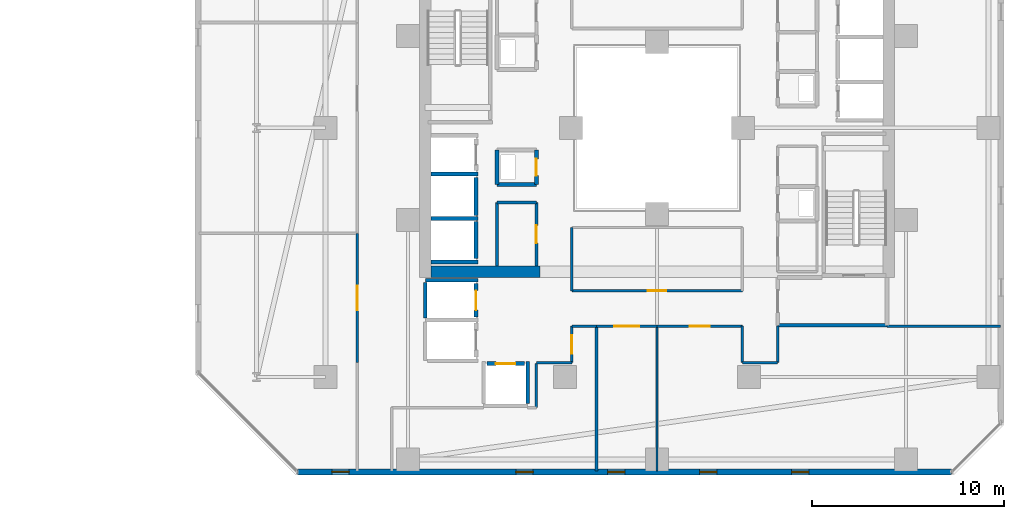
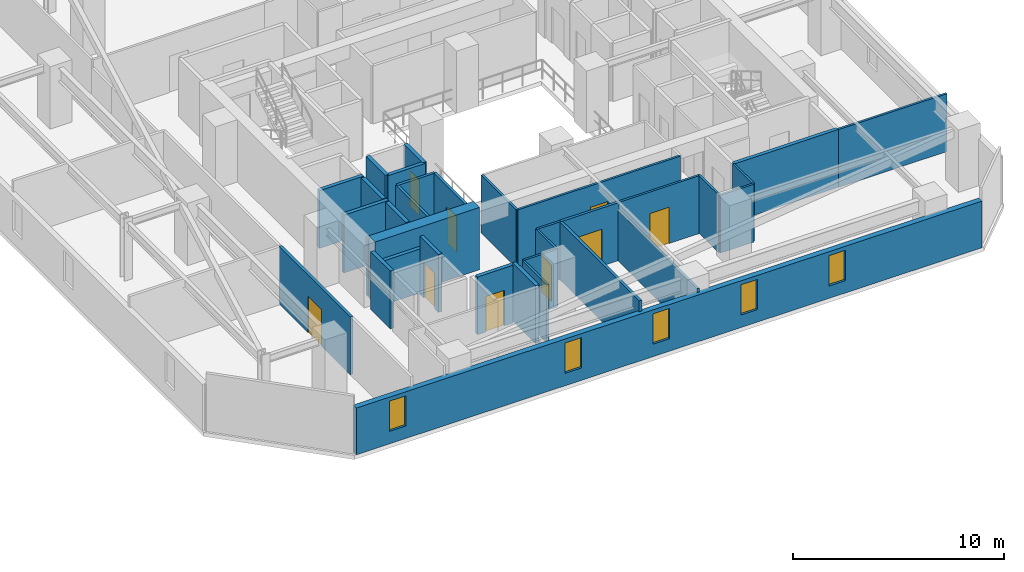
# One storey, part 21 of 31: 34 walls, 9 doors, 5 windows, 14 openings.
"""IFC4 building model written with IfcOpenShell, lengths in metres."""

from ifc_helpers import new_model, si_unit, direction, frame, frame_2d, origin, place, context, subcontext, project, spatial, rectangle, extrude, material, layer, layer_set, type_object, element, fill, save


model = new_model("IFC4")

# Units and contexts
model_context = context("Model", 3, precision=1e-05, world=origin(), true_north=direction((0.0, 1.0)))
body_context = subcontext(model_context, "Body", "Model", "MODEL_VIEW")
ifc_project = project(units=[si_unit("LENGTHUNIT", "METRE"), si_unit("AREAUNIT", "SQUARE_METRE"), si_unit("VOLUMEUNIT", "CUBIC_METRE"), si_unit("PLANEANGLEUNIT", "RADIAN"), si_unit("MASSUNIT", "GRAM", prefix="KILO")], contexts=[model_context])

# Site, building, storey
site_placement = place(None, origin())
site = spatial("IfcSite", under=ifc_project, at=site_placement, CompositionType="ELEMENT")
building_placement = place(site_placement, origin())
building = spatial("IfcBuilding", under=site, at=building_placement, Name="Thornwick Lancets Civic Towers", CompositionType="ELEMENT")
storey_placement = place(building_placement, frame((0.0, 0.0, 87.300048828125)))
storey = spatial("IfcBuildingStorey", under=building, at=storey_placement, Name="L22", CompositionType="ELEMENT", Elevation=87.300048828125)

# Walls
ifc_material_1 = material(Name="Concrete blockwork C40/50", Category="masonry")
ifc_layer_1 = layer(ifc_material_1, 0.199951171875, Name="Concrete blockwork C40/50")
ifc_layer_set_1 = layer_set([ifc_layer_1], Name="Concrete blockwork C40/50")
wall_type_1 = type_object("IfcWallType", Name="WALL_COMP_200", PredefinedType="STANDARD", material=ifc_layer_set_1)
wall_1_placement = place(storey_placement, frame((79.050048828125, 22.429931640625, 0.0), z_axis=(0.0, 0.0, 1.0), x_axis=(0.0, 1.0, 0.0)))
element("IfcWall", 1, at=wall_1_placement, inside=storey, type_object=wall_type_1, Name="L22 Hoistway Front Wall PL-BH2", PredefinedType="STANDARD", context=body_context, shape_type="SweptSolid", body=[
    extrude(rectangle(XDim=1.989990234375, YDim=0.199951171875, at=frame_2d((0.9951171875, 0.0))), origin(), (0.0, 0.0, 1.0), 3.33984375),
])
wall_2_placement = place(storey_placement, frame((79.050048828125, 20.179931640625, 0.0), z_axis=(0.0, 0.0, 1.0), x_axis=(0.0, 1.0, 0.0)))
element("IfcWall", 2, at=wall_2_placement, inside=storey, type_object=wall_type_1, Name="L22 Hoistway Front Wall PL-BH3", PredefinedType="STANDARD", context=body_context, shape_type="SweptSolid", body=[
    extrude(rectangle(XDim=1.940185546875, YDim=0.199951171875, at=frame_2d((0.97021484375, 0.0))), origin(), (0.0, 0.0, 1.0), 3.33984375),
])

# Wall, opening, door
wall_3_placement = place(storey_placement, frame((79.050048828125, 17.1298828125, 0.0), z_axis=(0.0, 0.0, 1.0), x_axis=(0.0, 1.0, 0.0)))
wall_3 = element("IfcWall", 3, at=wall_3_placement, inside=storey, type_object=wall_type_1, Name="L22 Hoistway Front Wall PL-BM1", PredefinedType="STANDARD", context=body_context, shape_type="SweptSolid", body=[
    extrude(rectangle(XDim=1.740234375, YDim=0.199951171875, at=frame_2d((0.8701171875, 0.0))), origin(), (0.0, 0.0, 1.0), 3.33984375),
])
opening_1_placement = place(wall_3_placement, frame((0.360107421875, 0.0, 0.0)))
opening_1 = element("IfcOpeningElement", 4, at=opening_1_placement, cuts=wall_3, Name="Opening LD-PL-BM1", PredefinedType="OPENING", context=body_context, shape_type="SweptSolid", body=[
    extrude(rectangle(XDim=1.02001953125, YDim=2.06005859375, at=frame_2d((0.510009765625, 1.030029296875))), frame((0.0, 0.10986328125, 0.0), z_axis=(0.0, -1.0, 0.0), x_axis=(1.0, 0.0, 0.0)), (0.0, 0.0, 1.0), 0.219970703125),
])
ifc_material_2 = material(Name="Brushed bronze stainless steel", Category="steel")
door_type_1 = type_object("IfcDoorType", Name="DOOR_LIFT_SLIDE", OperationType="SLIDING_TO_LEFT", PredefinedType="DOOR", material=ifc_material_2)
door_1_placement = place(opening_1_placement, origin())
door_1 = element("IfcDoor", 5, at=door_1_placement, inside=storey, type_object=door_type_1, Name="L22 Sliding Lift Landing Door LD-PL-BM1", OperationType="SLIDING_TO_LEFT", OverallHeight=2.06005859375, OverallWidth=1.02001953125, PredefinedType="DOOR", context=body_context, shape_type="SweptSolid", body=[
    extrude(rectangle(XDim=1.02001953125, YDim=2.06005859375, at=frame_2d((0.510009765625, 1.030029296875))), frame((0.0, 0.02490234375, 0.0), z_axis=(0.0, -1.0, 0.0), x_axis=(1.0, 0.0, 0.0)), (0.0, 0.0, 1.0), 0.050048828125),
])
fill(opening_1, door_1)

wall_4_placement = place(storey_placement, frame((79.6298828125, 14.699951171875, 0.0), z_axis=(0.0, 0.0, 1.0), x_axis=(1.0, 0.0, 0.0)))
wall_4 = element("IfcWall", 6, at=wall_4_placement, inside=storey, type_object=wall_type_1, Name="L22 Hoistway Front Wall PL-BM3", PredefinedType="STANDARD", context=body_context, shape_type="SweptSolid", body=[
    extrude(rectangle(XDim=1.940185546875, YDim=0.199951171875, at=frame_2d((0.97021484375, 0.0))), origin(), (0.0, 0.0, 1.0), 3.33984375),
])
opening_2_placement = place(wall_4_placement, frame((0.4599609375, 0.0, 0.0)))
opening_2 = element("IfcOpeningElement", 7, at=opening_2_placement, cuts=wall_4, Name="Opening LD-PL-BM3", PredefinedType="OPENING", context=body_context, shape_type="SweptSolid", body=[
    extrude(rectangle(XDim=1.02001953125, YDim=2.06005859375, at=frame_2d((0.510009765625, 1.030029296875))), frame((0.0, 0.10986328125, 0.0), z_axis=(0.0, -1.0, 0.0), x_axis=(1.0, 0.0, 0.0)), (0.0, 0.0, 1.0), 0.219970703125),
])
door_2_placement = place(opening_2_placement, origin())
door_2 = element("IfcDoor", 8, at=door_2_placement, inside=storey, type_object=door_type_1, Name="L22 Sliding Lift Landing Door LD-PL-BM3", OperationType="SLIDING_TO_LEFT", OverallHeight=2.06005859375, OverallWidth=1.02001953125, PredefinedType="DOOR", context=body_context, shape_type="SweptSolid", body=[
    extrude(rectangle(XDim=1.02001953125, YDim=2.06005859375, at=frame_2d((0.510009765625, 1.030029296875))), frame((0.0, 0.02490234375, 0.0), z_axis=(0.0, -1.0, 0.0), x_axis=(1.0, 0.0, 0.0)), (0.0, 0.0, 1.0), 0.050048828125),
])
fill(opening_2, door_2)

# Walls
for number, where, z_axis, x_axis, name in (
    (9, (76.7119140625, 24.60009765625, 0.0), (0.0, 0.0, 1.0), (1.0, 0.0, 0.0), "L22 Hoistway Shaft Wall FL-B2 S"),
    (10, (76.7119140625, 22.27490234375, 0.0), (0.0, 0.0, 1.0), (1.0, 0.0, 0.0), "L22 Hoistway Shaft Wall PL-BH2 S"),
    (11, (76.7119140625, 20.0, 0.0), (0.0, 0.0, 1.0), (1.0, 0.0, 0.0), "L22 Hoistway Shaft Wall PL-BH3 S"),
):
    element("IfcWall", number, at=place(storey_placement, frame(where, z_axis=z_axis, x_axis=x_axis)), inside=storey, type_object=wall_type_1, Name=name, PredefinedType="STANDARD", context=body_context, shape_type="SweptSolid", body=[
        extrude(rectangle(XDim=2.43603515625, YDim=0.199951171875, at=frame_2d((1.218017578125, 0.0))), origin(), (0.0, 0.0, 1.0), 3.33984375),
    ])
wall_5_placement = place(storey_placement, frame((76.402099609375, 19.050048828125, 0.0), z_axis=(0.0, 0.0, 1.0), x_axis=(1.0, 0.0, 0.0)))
element("IfcWall", 12, at=wall_5_placement, inside=storey, type_object=wall_type_1, Name="L22 Hoistway Shaft Wall PL-BM1 N", PredefinedType="STANDARD", context=body_context, shape_type="SweptSolid", body=[
    extrude(rectangle(XDim=2.745849609375, YDim=0.199951171875, at=frame_2d((1.373046875, 0.0))), origin(), (0.0, 0.0, 1.0), 2.544921875),
])
wall_6_placement = place(storey_placement, frame((76.39990234375, 17.08203125, 0.0), z_axis=(0.0, 0.0, 1.0), x_axis=(0.0, 1.0, 0.0)))
element("IfcWall", 13, at=wall_6_placement, inside=storey, type_object=wall_type_1, Name="L22 Hoistway Shaft Wall PL-BM1 W", PredefinedType="STANDARD", context=body_context, shape_type="SweptSolid", body=[
    extrude(rectangle(XDim=1.85595703125, YDim=0.199951171875, at=frame_2d((0.927978515625, 0.0))), origin(), (0.0, 0.0, 1.0), 3.33984375),
])
wall_7_placement = place(storey_placement, frame((81.75, 12.612060546875, 0.0), z_axis=(0.0, 0.0, 1.0), x_axis=(0.0, 1.0, 0.0)))
element("IfcWall", 14, at=wall_7_placement, inside=storey, type_object=wall_type_1, Name="L22 Hoistway Shaft Wall PL-BM3 E", PredefinedType="STANDARD", context=body_context, shape_type="SweptSolid", body=[
    extrude(rectangle(XDim=2.18603515625, YDim=0.199951171875, at=frame_2d((1.093017578125, 0.0))), origin(), (0.0, 0.0, 1.0), 3.33984375),
])
wall_8_placement = place(storey_placement, frame((94.800048828125, 16.699951171875, 0.0), z_axis=(0.0, 0.0, 1.0), x_axis=(1.0, 0.0, 0.0)))
element("IfcWall", 15, at=wall_8_placement, inside=storey, type_object=wall_type_1, Name="L22 Partition L22-B-FFLOB1 E1", PredefinedType="STANDARD", context=body_context, shape_type="SweptSolid", body=[
    extrude(rectangle(XDim=5.699951171875, YDim=0.199951171875, at=frame_2d((2.85009765625, 0.0))), origin(), (0.0, 0.0, 1.0), 3.33984375),
])
wall_9_placement = place(storey_placement, frame((80.14990234375, 24.050048828125, 0.0), z_axis=(0.0, 0.0, 1.0), x_axis=(1.0, 0.0, 0.0)))
element("IfcWall", 16, at=wall_9_placement, inside=storey, type_object=wall_type_1, Name="L22 Partition L22-B-DUCT2 E1", PredefinedType="STANDARD", context=body_context, shape_type="SweptSolid", body=[
    extrude(rectangle(XDim=2.050048828125, YDim=0.199951171875, at=frame_2d((1.02490234375, 0.0))), origin(), (0.0, 0.0, 1.0), 3.33984375),
])

# Wall, opening, door
wall_10_placement = place(storey_placement, frame((82.199951171875, 24.050048828125, 0.0), z_axis=(0.0, 0.0, 1.0), x_axis=(0.0, 1.0, 0.0)))
wall_10 = element("IfcWall", 17, at=wall_10_placement, inside=storey, type_object=wall_type_1, Name="L22 Partition L22-B-DUCT2 E2", PredefinedType="STANDARD", context=body_context, shape_type="SweptSolid", body=[
    extrude(rectangle(XDim=1.800048828125, YDim=0.199951171875, at=frame_2d((0.89990234375, 0.0))), origin(), (0.0, 0.0, 1.0), 3.33984375),
])
opening_3_placement = place(wall_10_placement, frame((0.4599609375, 0.0, 0.0)))
opening_3 = element("IfcOpeningElement", 18, at=opening_3_placement, cuts=wall_10, Name="Opening D-L22-1023", PredefinedType="OPENING", context=body_context, shape_type="SweptSolid", body=[
    extrude(rectangle(XDim=0.8798828125, YDim=2.0400390625, at=frame_2d((0.43994140625, 1.02001953125))), frame((0.0, 0.10986328125, 0.0), z_axis=(0.0, -1.0, 0.0), x_axis=(1.0, 0.0, 0.0)), (0.0, 0.0, 1.0), 0.219970703125),
])
ifc_material_3 = material(Name="Steel riser access doorset", Category="steel")
door_type_2 = type_object("IfcDoorType", Name="DOOR_RISER_850", OperationType="NOTDEFINED", PredefinedType="DOOR", material=ifc_material_3)
door_3_placement = place(opening_3_placement, origin())
door_3 = element("IfcDoor", 19, at=door_3_placement, inside=storey, type_object=door_type_2, Name="L22 West Service Duct 2 Door", OperationType="SINGLE_SWING_RIGHT", OverallHeight=2.0400390625, OverallWidth=0.8798828125, PredefinedType="DOOR", context=body_context, shape_type="SweptSolid", body=[
    extrude(rectangle(XDim=0.8798828125, YDim=2.0400390625, at=frame_2d((0.43994140625, 1.02001953125))), frame((0.0, 0.02490234375, 0.0), z_axis=(0.0, -1.0, 0.0), x_axis=(1.0, 0.0, 0.0)), (0.0, 0.0, 1.0), 0.050048828125),
])
fill(opening_3, door_3)

# Walls
wall_11_placement = place(storey_placement, frame((80.14990234375, 25.85009765625, 0.0), z_axis=(0.0, 0.0, 1.0), x_axis=(0.0, -1.0, 0.0)))
element("IfcWall", 20, at=wall_11_placement, inside=storey, type_object=wall_type_1, Name="L22 Partition L22-B-DUCT2 E4", PredefinedType="STANDARD", context=body_context, shape_type="SweptSolid", body=[
    extrude(rectangle(XDim=1.800048828125, YDim=0.199951171875, at=frame_2d((0.89990234375, 0.0))), origin(), (0.0, 0.0, 1.0), 3.33984375),
])
ifc_material_4 = material(Name="Concrete C60/75", Category="concrete")
ifc_layer_2 = layer(ifc_material_4, 0.60009765625, Name="Concrete C60/75")
ifc_layer_set_2 = layer_set([ifc_layer_2], Name="Concrete C60/75")
wall_type_2 = type_object("IfcWallType", Name="WALL_CORE_600", PredefinedType="SHEAR", material=ifc_layer_set_2)
wall_12_placement = place(storey_placement, frame((76.699951171875, 19.5, 0.0), z_axis=(0.0, 0.0, 1.0), x_axis=(1.0, 0.0, 0.0)))
element("IfcWall", 21, at=wall_12_placement, inside=storey, type_object=wall_type_2, Name="L22 Split Core B2 Shear Wall S", PredefinedType="SHEAR", context=body_context, shape_type="SweptSolid", body=[
    extrude(rectangle(XDim=5.699951171875, YDim=0.60009765625, at=frame_2d((2.85009765625, 0.0))), origin(), (0.0, 0.0, 1.0), 3.599853515625),
])

# Wall, openings, windows
ifc_material_5 = material(Name="Insulated russet terracotta rainscreen on concrete C40/50", Category="masonry")
ifc_layer_3 = layer(ifc_material_5, 0.300048828125, Name="Insulated russet terracotta rainscreen on concrete C40/50")
ifc_layer_set_3 = layer_set([ifc_layer_3], Name="Insulated russet terracotta rainscreen on concrete C40/50")
wall_type_3 = type_object("IfcWallType", Name="WALL_EXT_RUSSET_300", PredefinedType="STANDARD", material=ifc_layer_set_3)
wall_13_placement = place(storey_placement, frame((69.726318359375, 9.043701171875, 0.0), z_axis=(0.0, 0.0, 1.0), x_axis=(0.999999970468, -0.000243032466, 0.0)))
wall_13 = element("IfcWall", 22, at=wall_13_placement, inside=storey, type_object=wall_type_3, Name="L22 Tower B Terracotta Facade Wall E0", PredefinedType="STANDARD", context=body_context, shape_type="SweptSolid", body=[
    extrude(rectangle(XDim=34.155029296875, YDim=0.300048828125, at=frame_2d((17.07763671875, 0.0))), origin(), (0.0, 0.0, 1.0), 2.699951171875),
])
opening_4_placement = place(wall_13_placement, frame((1.800048828125, 0.0, 0.719970703125)))
opening_4 = element("IfcOpeningElement", 23, at=opening_4_placement, cuts=wall_13, Name="Opening WL-01", PredefinedType="OPENING", context=body_context, shape_type="SweptSolid", body=[
    extrude(rectangle(XDim=0.89990234375, YDim=1.75, at=frame_2d((0.449951171875, 0.875))), frame((0.0, 0.16015625, 0.0), z_axis=(0.0, -1.0, 0.0), x_axis=(1.0, 0.0, 0.0)), (0.0, 0.0, 1.0), 0.320068359375),
])
opening_5_placement = place(wall_13_placement, frame((11.39990234375, 0.0, 0.719970703125)))
opening_5 = element("IfcOpeningElement", 24, at=opening_5_placement, cuts=wall_13, Name="Opening WL-01", PredefinedType="OPENING", context=body_context, shape_type="SweptSolid", body=[
    extrude(rectangle(XDim=0.89990234375, YDim=1.75, at=frame_2d((0.449951171875, 0.875))), frame((0.0, 0.16015625, 0.0), z_axis=(0.0, -1.0, 0.0), x_axis=(1.0, 0.0, 0.0)), (0.0, 0.0, 1.0), 0.320068359375),
])
opening_6_placement = place(wall_13_placement, frame((16.199951171875, 0.0, 0.719970703125)))
opening_6 = element("IfcOpeningElement", 25, at=opening_6_placement, cuts=wall_13, Name="Opening WL-01", PredefinedType="OPENING", context=body_context, shape_type="SweptSolid", body=[
    extrude(rectangle(XDim=0.89990234375, YDim=1.75, at=frame_2d((0.449951171875, 0.875))), frame((0.0, 0.16015625, 0.0), z_axis=(0.0, -1.0, 0.0), x_axis=(1.0, 0.0, 0.0)), (0.0, 0.0, 1.0), 0.320068359375),
])
opening_7_placement = place(wall_13_placement, frame((21.0, 0.0, 0.719970703125)))
opening_7 = element("IfcOpeningElement", 26, at=opening_7_placement, cuts=wall_13, Name="Opening WL-01", PredefinedType="OPENING", context=body_context, shape_type="SweptSolid", body=[
    extrude(rectangle(XDim=0.89990234375, YDim=1.75, at=frame_2d((0.449951171875, 0.875))), frame((0.0, 0.16015625, 0.0), z_axis=(0.0, -1.0, 0.0), x_axis=(1.0, 0.0, 0.0)), (0.0, 0.0, 1.0), 0.320068359375),
])
opening_8_placement = place(wall_13_placement, frame((25.800048828125, 0.0, 0.719970703125)))
opening_8 = element("IfcOpeningElement", 27, at=opening_8_placement, cuts=wall_13, Name="Opening WL-01", PredefinedType="OPENING", context=body_context, shape_type="SweptSolid", body=[
    extrude(rectangle(XDim=0.89990234375, YDim=1.75, at=frame_2d((0.449951171875, 0.875))), frame((0.0, 0.16015625, 0.0), z_axis=(0.0, -1.0, 0.0), x_axis=(1.0, 0.0, 0.0)), (0.0, 0.0, 1.0), 0.320068359375),
])
ifc_material_6 = material(Name="Clear low-e double glazing in bronze frame", Category="glass")
window_type = type_object("IfcWindowType", Name="WIN_LANCET_900", PartitioningType="SINGLE_PANEL", PredefinedType="WINDOW", material=ifc_material_6)
window_1_placement = place(opening_4_placement, origin())
window_1 = element("IfcWindow", 28, at=window_1_placement, inside=storey, type_object=window_type, Name="L22 Tower B Staggered Lancet Window E0-1", OverallHeight=1.75, OverallWidth=0.89990234375, PartitioningType="SINGLE_PANEL", PredefinedType="WINDOW", context=body_context, shape_type="SweptSolid", body=[
    extrude(rectangle(XDim=0.89990234375, YDim=1.75, at=frame_2d((0.449951171875, 0.875))), frame((0.0, 0.030029296875, 0.0), z_axis=(0.0, -1.0, 0.0), x_axis=(1.0, 0.0, 0.0)), (0.0, 0.0, 1.0), 0.06005859375),
])
fill(opening_4, window_1)
window_2_placement = place(opening_5_placement, origin())
window_2 = element("IfcWindow", 29, at=window_2_placement, inside=storey, type_object=window_type, Name="L22 Tower B Staggered Lancet Window E0-2", OverallHeight=1.75, OverallWidth=0.89990234375, PartitioningType="SINGLE_PANEL", PredefinedType="WINDOW", context=body_context, shape_type="SweptSolid", body=[
    extrude(rectangle(XDim=0.89990234375, YDim=1.75, at=frame_2d((0.449951171875, 0.875))), frame((0.0, 0.030029296875, 0.0), z_axis=(0.0, -1.0, 0.0), x_axis=(1.0, 0.0, 0.0)), (0.0, 0.0, 1.0), 0.06005859375),
])
fill(opening_5, window_2)
window_3_placement = place(opening_6_placement, origin())
window_3 = element("IfcWindow", 30, at=window_3_placement, inside=storey, type_object=window_type, Name="L22 Tower B Staggered Lancet Window E0-3", OverallHeight=1.75, OverallWidth=0.89990234375, PartitioningType="SINGLE_PANEL", PredefinedType="WINDOW", context=body_context, shape_type="SweptSolid", body=[
    extrude(rectangle(XDim=0.89990234375, YDim=1.75, at=frame_2d((0.449951171875, 0.875))), frame((0.0, 0.030029296875, 0.0), z_axis=(0.0, -1.0, 0.0), x_axis=(1.0, 0.0, 0.0)), (0.0, 0.0, 1.0), 0.06005859375),
])
fill(opening_6, window_3)
window_4_placement = place(opening_7_placement, origin())
window_4 = element("IfcWindow", 31, at=window_4_placement, inside=storey, type_object=window_type, Name="L22 Tower B Staggered Lancet Window E0-4", OverallHeight=1.75, OverallWidth=0.89990234375, PartitioningType="SINGLE_PANEL", PredefinedType="WINDOW", context=body_context, shape_type="SweptSolid", body=[
    extrude(rectangle(XDim=0.89990234375, YDim=1.75, at=frame_2d((0.449951171875, 0.875))), frame((0.0, 0.030029296875, 0.0), z_axis=(0.0, -1.0, 0.0), x_axis=(1.0, 0.0, 0.0)), (0.0, 0.0, 1.0), 0.06005859375),
])
fill(opening_7, window_4)
window_5_placement = place(opening_8_placement, origin())
window_5 = element("IfcWindow", 32, at=window_5_placement, inside=storey, type_object=window_type, Name="L22 Tower B Staggered Lancet Window E0-5", OverallHeight=1.75, OverallWidth=0.89990234375, PartitioningType="SINGLE_PANEL", PredefinedType="WINDOW", context=body_context, shape_type="SweptSolid", body=[
    extrude(rectangle(XDim=0.89990234375, YDim=1.75, at=frame_2d((0.449951171875, 0.875))), frame((0.0, 0.030029296875, 0.0), z_axis=(0.0, -1.0, 0.0), x_axis=(1.0, 0.0, 0.0)), (0.0, 0.0, 1.0), 0.06005859375),
])
fill(opening_8, window_5)

# Walls
ifc_material_7 = material(Name="Acoustic gypsum board partition")
ifc_layer_4 = layer(ifc_material_7, 0.1201171875, Name="Acoustic gypsum board partition")
ifc_layer_set_4 = layer_set([ifc_layer_4], Name="Acoustic gypsum board partition")
wall_type_4 = type_object("IfcWallType", Name="WALL_PART_120", PredefinedType="PARTITIONING", material=ifc_layer_set_4)
wall_14_placement = place(storey_placement, frame((92.949951171875, 16.64990234375, 0.0), z_axis=(0.0, 0.0, 1.0), x_axis=(0.0, -1.0, 0.0)))
element("IfcWall", 33, at=wall_14_placement, inside=storey, type_object=wall_type_4, Name="L22 Partition L22-B-W1 E1", PredefinedType="PARTITIONING", context=body_context, shape_type="SweptSolid", body=[
    extrude(rectangle(XDim=1.89990234375, YDim=0.1201171875, at=frame_2d((0.949951171875, 0.0))), origin(), (0.0, 0.0, 1.0), 3.33984375),
])
wall_15_placement = place(storey_placement, frame((92.949951171875, 14.75, 0.0), z_axis=(0.0, 0.0, 1.0), x_axis=(1.0, 0.0, 0.0)))
element("IfcWall", 34, at=wall_15_placement, inside=storey, type_object=wall_type_4, Name="L22 Partition L22-B-W1 E2", PredefinedType="PARTITIONING", context=body_context, shape_type="SweptSolid", body=[
    extrude(rectangle(XDim=1.85009765625, YDim=0.1201171875, at=frame_2d((0.925048828125, 0.0))), origin(), (0.0, 0.0, 1.0), 3.33984375),
])
wall_16_placement = place(storey_placement, frame((94.800048828125, 14.75, 0.0), z_axis=(0.0, 0.0, 1.0), x_axis=(0.0, 1.0, 0.0)))
element("IfcWall", 35, at=wall_16_placement, inside=storey, type_object=wall_type_4, Name="L22 Partition L22-B-W1 E3", PredefinedType="PARTITIONING", context=body_context, shape_type="SweptSolid", body=[
    extrude(rectangle(XDim=1.89990234375, YDim=0.1201171875, at=frame_2d((0.949951171875, 0.0))), origin(), (0.0, 0.0, 1.0), 3.33984375),
])
wall_17_placement = place(storey_placement, frame((100.5, 16.64990234375, 0.0), z_axis=(0.0, 0.0, 1.0), x_axis=(1.0, 0.0, 0.0)))
element("IfcWall", 36, at=wall_17_placement, inside=storey, type_object=wall_type_4, Name="L22 Partition L22-B-W1 E4", PredefinedType="PARTITIONING", context=body_context, shape_type="SweptSolid", body=[
    extrude(rectangle(XDim=5.919921875, YDim=0.1201171875, at=frame_2d((2.9599609375, 0.0))), origin(), (0.0, 0.0, 1.0), 3.33984375),
])
wall_18_placement = place(storey_placement, frame((88.5, 9.080078125, 0.0), z_axis=(0.0, 0.0, 1.0), x_axis=(0.0, 1.0, 0.0)))
element("IfcWall", 37, at=wall_18_placement, inside=storey, type_object=wall_type_4, Name="L22 Partition L22-B-W1 E8", PredefinedType="PARTITIONING", context=body_context, shape_type="SweptSolid", body=[
    extrude(rectangle(XDim=7.56982421875, YDim=0.1201171875, at=frame_2d((3.784912109375, 0.0))), origin(), (0.0, 0.0, 1.0), 2.93212890625),
])

# Wall, opening, door
wall_19_placement = place(storey_placement, frame((88.5, 16.64990234375, 0.0), z_axis=(0.0, 0.0, 1.0), x_axis=(1.0, 0.0, 0.0)))
wall_19 = element("IfcWall", 38, at=wall_19_placement, inside=storey, type_object=wall_type_4, Name="L22 Partition L22-B-W1 E9", PredefinedType="PARTITIONING", context=body_context, shape_type="SweptSolid", body=[
    extrude(rectangle(XDim=4.449951171875, YDim=0.1201171875, at=frame_2d((2.22509765625, 0.0))), origin(), (0.0, 0.0, 1.0), 3.33984375),
])
opening_9_placement = place(wall_19_placement, frame((1.699951171875, 0.0, 0.0)))
opening_9 = element("IfcOpeningElement", 39, at=opening_9_placement, cuts=wall_19, Name="Opening D-L22-1042", PredefinedType="OPENING", context=body_context, shape_type="SweptSolid", body=[
    extrude(rectangle(XDim=1.050048828125, YDim=2.10009765625, at=frame_2d((0.52490234375, 1.050048828125))), frame((0.0, 0.070068359375, 0.0), z_axis=(0.0, -1.0, 0.0), x_axis=(1.0, 0.0, 0.0)), (0.0, 0.0, 1.0), 0.14013671875),
])
ifc_material_8 = material(Name="Glazed European oak executive doorset")
door_type_3 = type_object("IfcDoorType", Name="DOOR_OFFICE_1050", OperationType="NOTDEFINED", PredefinedType="DOOR", material=ifc_material_8)
door_4_placement = place(opening_9_placement, origin())
door_4 = element("IfcDoor", 40, at=door_4_placement, inside=storey, type_object=door_type_3, Name="L22 Tower B Ministry Directorate Office W1 Door", OperationType="SINGLE_SWING_LEFT", OverallHeight=2.10009765625, OverallWidth=1.050048828125, PredefinedType="DOOR", context=body_context, shape_type="SweptSolid", body=[
    extrude(rectangle(XDim=1.050048828125, YDim=2.10009765625, at=frame_2d((0.52490234375, 1.050048828125))), frame((0.0, 0.02490234375, 0.0), z_axis=(0.0, -1.0, 0.0), x_axis=(1.0, 0.0, 0.0)), (0.0, 0.0, 1.0), 0.050048828125),
])
fill(opening_9, door_4)

# Walls
wall_20_placement = place(storey_placement, frame((82.199951171875, 12.39990234375, 0.0), z_axis=(0.0, 0.0, 1.0), x_axis=(0.0, 1.0, 0.0)))
element("IfcWall", 41, at=wall_20_placement, inside=storey, type_object=wall_type_4, Name="L22 Partition L22-B-W3 E1", PredefinedType="PARTITIONING", context=body_context, shape_type="SweptSolid", body=[
    extrude(rectangle(XDim=2.300048828125, YDim=0.1201171875, at=frame_2d((1.14990234375, 0.0))), origin(), (0.0, 0.0, 1.0), 3.33984375),
])
wall_21_placement = place(storey_placement, frame((82.199951171875, 14.75, 0.0), z_axis=(0.0, 0.0, 1.0), x_axis=(1.0, 0.0, 0.0)))
element("IfcWall", 42, at=wall_21_placement, inside=storey, type_object=wall_type_4, Name="L22 Partition L22-B-W3 E3", PredefinedType="PARTITIONING", context=body_context, shape_type="SweptSolid", body=[
    extrude(rectangle(XDim=1.85009765625, YDim=0.1201171875, at=frame_2d((0.925048828125, 0.0))), origin(), (0.0, 0.0, 1.0), 3.33984375),
])

# Wall, opening, door
wall_22_placement = place(storey_placement, frame((84.050048828125, 14.75, 0.0), z_axis=(0.0, 0.0, 1.0), x_axis=(0.0, 1.0, 0.0)))
wall_22 = element("IfcWall", 43, at=wall_22_placement, inside=storey, type_object=wall_type_4, Name="L22 Partition L22-B-W3 E4", PredefinedType="PARTITIONING", context=body_context, shape_type="SweptSolid", body=[
    extrude(rectangle(XDim=1.89990234375, YDim=0.1201171875, at=frame_2d((0.949951171875, 0.0))), origin(), (0.0, 0.0, 1.0), 3.33984375),
])
opening_10_placement = place(wall_22_placement, frame((0.47509765625, 0.0, 0.0)))
opening_10 = element("IfcOpeningElement", 44, at=opening_10_placement, cuts=wall_22, Name="Opening D-L22-1044", PredefinedType="OPENING", context=body_context, shape_type="SweptSolid", body=[
    extrude(rectangle(XDim=0.949951171875, YDim=2.10009765625, at=frame_2d((0.47509765625, 1.050048828125))), frame((0.0, 0.070068359375, 0.0), z_axis=(0.0, -1.0, 0.0), x_axis=(1.0, 0.0, 0.0)), (0.0, 0.0, 1.0), 0.14013671875),
])
ifc_material_9 = material(Name="European oak acoustic doorset")
door_type_4 = type_object("IfcDoorType", Name="DOOR_OFFICE_950", OperationType="NOTDEFINED", PredefinedType="DOOR", material=ifc_material_9)
door_5_placement = place(opening_10_placement, origin())
door_5 = element("IfcDoor", 45, at=door_5_placement, inside=storey, type_object=door_type_4, Name="L22 Tower B Staff Tea Pantry and Lounge Door", OperationType="SINGLE_SWING_LEFT", OverallHeight=2.10009765625, OverallWidth=0.949951171875, PredefinedType="DOOR", context=body_context, shape_type="SweptSolid", body=[
    extrude(rectangle(XDim=0.949951171875, YDim=2.10009765625, at=frame_2d((0.47509765625, 1.050048828125))), frame((0.0, 0.02490234375, 0.0), z_axis=(0.0, -1.0, 0.0), x_axis=(1.0, 0.0, 0.0)), (0.0, 0.0, 1.0), 0.050048828125),
])
fill(opening_10, door_5)

# Walls
wall_23_placement = place(storey_placement, frame((84.050048828125, 16.64990234375, 0.0), z_axis=(0.0, 0.0, 1.0), x_axis=(1.0, 0.0, 0.0)))
element("IfcWall", 46, at=wall_23_placement, inside=storey, type_object=wall_type_4, Name="L22 Partition L22-B-W3 E5", PredefinedType="PARTITIONING", context=body_context, shape_type="SweptSolid", body=[
    extrude(rectangle(XDim=1.300048828125, YDim=0.1201171875, at=frame_2d((0.64990234375, 0.0))), origin(), (0.0, 0.0, 1.0), 3.33984375),
])
wall_24_placement = place(storey_placement, frame((84.050048828125, 18.5, 0.0), z_axis=(0.0, 0.0, 1.0), x_axis=(0.0, 1.0, 0.0)))
element("IfcWall", 47, at=wall_24_placement, inside=storey, type_object=wall_type_4, Name="L22 Partition L22-B-ATR-W E1", PredefinedType="PARTITIONING", context=body_context, shape_type="SweptSolid", body=[
    extrude(rectangle(XDim=3.300048828125, YDim=0.1201171875, at=frame_2d((1.64990234375, 0.0))), origin(), (0.0, 0.0, 1.0), 3.33984375),
])

# Wall, opening, door
wall_25_placement = place(storey_placement, frame((92.949951171875, 18.5, 0.0), z_axis=(0.0, 0.0, 1.0), x_axis=(-1.0, 0.0, 0.0)))
wall_25 = element("IfcWall", 48, at=wall_25_placement, inside=storey, type_object=wall_type_4, Name="L22 Partition L22-B-ATR-W E4", PredefinedType="PARTITIONING", context=body_context, shape_type="SweptSolid", body=[
    extrude(rectangle(XDim=8.89990234375, YDim=0.1201171875, at=frame_2d((4.449951171875, 0.0))), origin(), (0.0, 0.0, 1.0), 3.33984375),
])
opening_11_placement = place(wall_25_placement, frame((3.97509765625, 0.0, 0.0)))
opening_11 = element("IfcOpeningElement", 49, at=opening_11_placement, cuts=wall_25, Name="Opening D-L22-1049", PredefinedType="OPENING", context=body_context, shape_type="SweptSolid", body=[
    extrude(rectangle(XDim=0.949951171875, YDim=2.10009765625, at=frame_2d((0.47509765625, 1.050048828125))), frame((0.0, 0.070068359375, 0.0), z_axis=(0.0, -1.0, 0.0), x_axis=(1.0, 0.0, 0.0)), (0.0, 0.0, 1.0), 0.14013671875),
])
door_6_placement = place(opening_11_placement, origin())
door_6 = element("IfcDoor", 50, at=door_6_placement, inside=storey, type_object=door_type_4, Name="L22 Tower B West Atrium Study Lounge Door", OperationType="SINGLE_SWING_RIGHT", OverallHeight=2.10009765625, OverallWidth=0.949951171875, PredefinedType="DOOR", context=body_context, shape_type="SweptSolid", body=[
    extrude(rectangle(XDim=0.949951171875, YDim=2.10009765625, at=frame_2d((0.47509765625, 1.050048828125))), frame((0.0, 0.02490234375, 0.0), z_axis=(0.0, -1.0, 0.0), x_axis=(1.0, 0.0, 0.0)), (0.0, 0.0, 1.0), 0.050048828125),
])
fill(opening_11, door_6)

ifc_material_10 = material(Name="Twin-stud acoustic gypsum board")
ifc_layer_5 = layer(ifc_material_10, 0.14990234375, Name="Twin-stud acoustic gypsum board")
ifc_layer_set_5 = layer_set([ifc_layer_5], Name="Twin-stud acoustic gypsum board")
wall_type_5 = type_object("IfcWallType", Name="WALL_PART_150", PredefinedType="PARTITIONING", material=ifc_layer_set_5)
wall_26_placement = place(storey_placement, frame((82.199951171875, 19.800048828125, 0.0), z_axis=(0.0, 0.0, 1.0), x_axis=(0.0, 1.0, 0.0)))
wall_26 = element("IfcWall", 51, at=wall_26_placement, inside=storey, type_object=wall_type_5, Name="L22 Partition L22-B-MWC E2", PredefinedType="PARTITIONING", context=body_context, shape_type="SweptSolid", body=[
    extrude(rectangle(XDim=3.300048828125, YDim=0.14990234375, at=frame_2d((1.64990234375, 0.0))), origin(), (0.0, 0.0, 1.0), 3.33984375),
])
opening_12_placement = place(wall_26_placement, frame((1.18994140625, 0.0, 0.0)))
opening_12 = element("IfcOpeningElement", 52, at=opening_12_placement, cuts=wall_26, Name="Opening D-L22-1029", PredefinedType="OPENING", context=body_context, shape_type="SweptSolid", body=[
    extrude(rectangle(XDim=0.919921875, YDim=2.080078125, at=frame_2d((0.4599609375, 1.0400390625))), frame((0.0, 0.0849609375, 0.0), z_axis=(0.0, -1.0, 0.0), x_axis=(1.0, 0.0, 0.0)), (0.0, 0.0, 1.0), 0.169921875),
])
ifc_material_11 = material(Name="Moisture-resistant oak doorset")
door_type_5 = type_object("IfcDoorType", Name="DOOR_WC_900", OperationType="NOTDEFINED", PredefinedType="DOOR", material=ifc_material_11)
door_7_placement = place(opening_12_placement, origin())
door_7 = element("IfcDoor", 53, at=door_7_placement, inside=storey, type_object=door_type_5, Name="L22 Tower B Male WC Door", OperationType="SINGLE_SWING_RIGHT", OverallHeight=2.080078125, OverallWidth=0.919921875, PredefinedType="DOOR", context=body_context, shape_type="SweptSolid", body=[
    extrude(rectangle(XDim=0.919921875, YDim=2.080078125, at=frame_2d((0.4599609375, 1.0400390625))), frame((0.0, 0.02490234375, 0.0), z_axis=(0.0, -1.0, 0.0), x_axis=(1.0, 0.0, 0.0)), (0.0, 0.0, 1.0), 0.050048828125),
])
fill(opening_12, door_7)

# Walls
wall_27_placement = place(storey_placement, frame((82.199951171875, 23.10009765625, 0.0), z_axis=(0.0, 0.0, 1.0), x_axis=(-1.0, 0.0, 0.0)))
element("IfcWall", 54, at=wall_27_placement, inside=storey, type_object=wall_type_5, Name="L22 Partition L22-B-MWC E3", PredefinedType="PARTITIONING", context=body_context, shape_type="SweptSolid", body=[
    extrude(rectangle(XDim=2.050048828125, YDim=0.14990234375, at=frame_2d((1.02490234375, 0.0))), origin(), (0.0, 0.0, 1.0), 3.33984375),
])
wall_28_placement = place(storey_placement, frame((80.14990234375, 23.10009765625, 0.0), z_axis=(0.0, 0.0, 1.0), x_axis=(0.0, -1.0, 0.0)))
element("IfcWall", 55, at=wall_28_placement, inside=storey, type_object=wall_type_5, Name="L22 Partition L22-B-MWC E4", PredefinedType="PARTITIONING", context=body_context, shape_type="SweptSolid", body=[
    extrude(rectangle(XDim=3.300048828125, YDim=0.14990234375, at=frame_2d((1.64990234375, 0.0))), origin(), (0.0, 0.0, 1.0), 3.33984375),
])
wall_29_placement = place(storey_placement, frame((85.35009765625, 9.080078125, 0.0), z_axis=(0.0, 0.0, 1.0), x_axis=(0.0, 1.0, 0.0)))
element("IfcWall", 56, at=wall_29_placement, inside=storey, type_object=wall_type_5, Name="L22 Partition L22-B-W2 E3", PredefinedType="PARTITIONING", context=body_context, shape_type="SweptSolid", body=[
    extrude(rectangle(XDim=7.56982421875, YDim=0.14990234375, at=frame_2d((3.784912109375, 0.0))), origin(), (0.0, 0.0, 1.0), 3.33984375),
])

# Wall, opening, door
wall_30_placement = place(storey_placement, frame((85.35009765625, 16.64990234375, 0.0), z_axis=(0.0, 0.0, 1.0), x_axis=(1.0, 0.0, 0.0)))
wall_30 = element("IfcWall", 57, at=wall_30_placement, inside=storey, type_object=wall_type_5, Name="L22 Partition L22-B-W2 E4", PredefinedType="PARTITIONING", context=body_context, shape_type="SweptSolid", body=[
    extrude(rectangle(XDim=3.14990234375, YDim=0.14990234375, at=frame_2d((1.574951171875, 0.0))), origin(), (0.0, 0.0, 1.0), 3.33984375),
])
opening_13_placement = place(wall_30_placement, frame((0.925048828125, 0.0, 0.0)))
opening_13 = element("IfcOpeningElement", 58, at=opening_13_placement, cuts=wall_30, Name="Opening D-L22-1043", PredefinedType="OPENING", context=body_context, shape_type="SweptSolid", body=[
    extrude(rectangle(XDim=1.300048828125, YDim=2.1201171875, at=frame_2d((0.64990234375, 1.06005859375))), frame((0.0, 0.0849609375, 0.0), z_axis=(0.0, -1.0, 0.0), x_axis=(1.0, 0.0, 0.0)), (0.0, 0.0, 1.0), 0.169921875),
])
ifc_material_12 = material(Name="Acoustic oak leaf-and-a-half doorset")
door_type_6 = type_object("IfcDoorType", Name="DOOR_MEET_1300", OperationType="DOUBLE_DOOR_SINGLE_SWING", PredefinedType="DOOR", material=ifc_material_12)
door_8_placement = place(opening_13_placement, origin())
door_8 = element("IfcDoor", 59, at=door_8_placement, inside=storey, type_object=door_type_6, Name="L22 Tower B Policy Briefing Room W2 Door", OperationType="DOUBLE_DOOR_SINGLE_SWING", OverallHeight=2.1201171875, OverallWidth=1.300048828125, PredefinedType="DOOR", context=body_context, shape_type="SweptSolid", body=[
    extrude(rectangle(XDim=1.300048828125, YDim=2.1201171875, at=frame_2d((0.64990234375, 1.06005859375))), frame((0.0, 0.02490234375, 0.0), z_axis=(0.0, -1.0, 0.0), x_axis=(1.0, 0.0, 0.0)), (0.0, 0.0, 1.0), 0.050048828125),
])
fill(opening_13, door_8)

wall_31_placement = place(storey_placement, frame((72.85009765625, 21.5, 0.0), z_axis=(0.0, 0.0, 1.0), x_axis=(0.0, -1.0, 0.0)))
wall_31 = element("IfcWall", 60, at=wall_31_placement, inside=storey, type_object=wall_type_5, Name="L22 Partition L22-B-N-CONF E6", PredefinedType="PARTITIONING", context=body_context, shape_type="SweptSolid", body=[
    extrude(rectangle(XDim=6.75, YDim=0.14990234375, at=frame_2d((3.375, 0.0))), origin(), (0.0, 0.0, 1.0), 3.33984375),
])
opening_14_placement = place(wall_31_placement, frame((2.72509765625, 0.0, 0.0)))
opening_14 = element("IfcOpeningElement", 61, at=opening_14_placement, cuts=wall_31, Name="Opening D-L22-1050", PredefinedType="OPENING", context=body_context, shape_type="SweptSolid", body=[
    extrude(rectangle(XDim=1.300048828125, YDim=2.1201171875, at=frame_2d((0.64990234375, 1.06005859375))), frame((0.0, 0.0849609375, 0.0), z_axis=(0.0, -1.0, 0.0), x_axis=(1.0, 0.0, 0.0)), (0.0, 0.0, 1.0), 0.169921875),
])
door_9_placement = place(opening_14_placement, origin())
door_9 = element("IfcDoor", 62, at=door_9_placement, inside=storey, type_object=door_type_6, Name="L22 Tower B North-West Conference Room Door", OperationType="DOUBLE_DOOR_SINGLE_SWING", OverallHeight=2.1201171875, OverallWidth=1.300048828125, PredefinedType="DOOR", context=body_context, shape_type="SweptSolid", body=[
    extrude(rectangle(XDim=1.300048828125, YDim=2.1201171875, at=frame_2d((0.64990234375, 1.06005859375))), frame((0.0, 0.02490234375, 0.0), z_axis=(0.0, -1.0, 0.0), x_axis=(1.0, 0.0, 0.0)), (0.0, 0.0, 1.0), 0.050048828125),
])
fill(opening_14, door_9)

save(model, "model.ifc")
